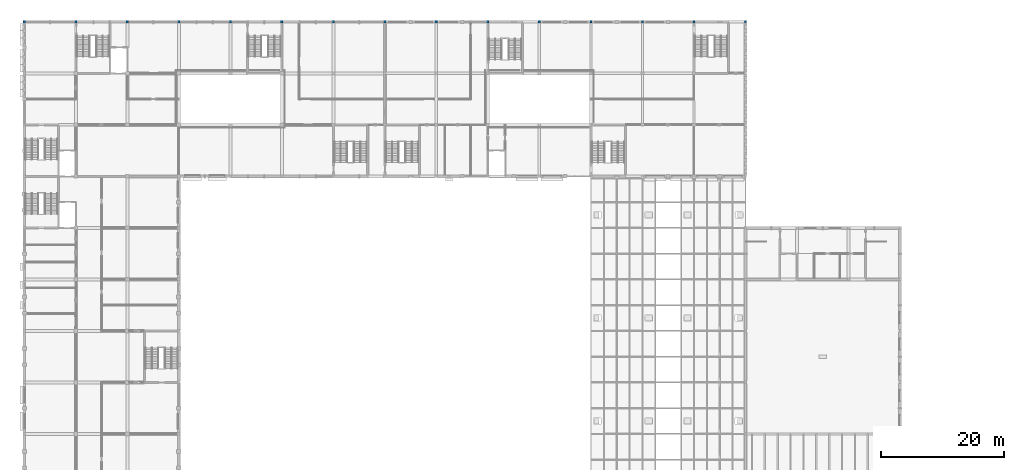
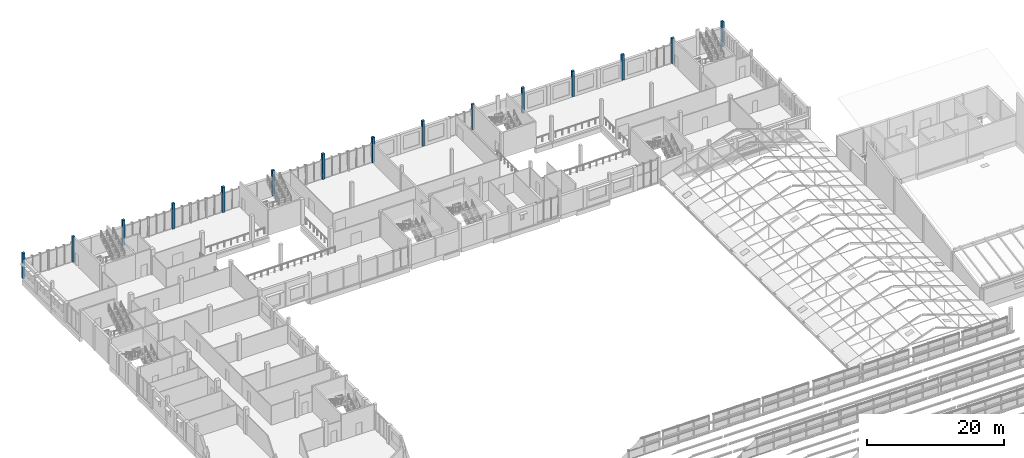
# One storey, part 5 of 116: 15 columns.
"""IFC4 building model written with IfcOpenShell, lengths in metres."""

from ifc_helpers import new_model, si_unit, direction, frame, origin, origin_2d, place, context, subcontext, project, spatial, rectangle, extrude, material, material_profile, profile_set, type_object, element, save


model = new_model("IFC4")

# Units and contexts
model_context = context("Model", 3, precision=1e-05, world=origin(), true_north=direction((0.0, 1.0)))
body_context = subcontext(model_context, "Body", "Model", "MODEL_VIEW")
ifc_project = project(units=[si_unit("LENGTHUNIT", "METRE"), si_unit("AREAUNIT", "SQUARE_METRE"), si_unit("VOLUMEUNIT", "CUBIC_METRE"), si_unit("PLANEANGLEUNIT", "RADIAN"), si_unit("MASSUNIT", "GRAM", prefix="KILO")], contexts=[model_context])

# Site, building, storey
site_placement = place(None, origin())
site = spatial("IfcSite", under=ifc_project, at=site_placement, CompositionType="ELEMENT")
building_placement = place(site_placement, origin())
building = spatial("IfcBuilding", under=site, at=building_placement, Name="Fescue Hill Polytechnic", CompositionType="ELEMENT")
storey_placement = place(building_placement, frame((0.0, 0.0, 13.5)))
storey = spatial("IfcBuildingStorey", under=building, at=storey_placement, Name="L03", CompositionType="ELEMENT", Elevation=13.5)

# Columns
ifc_material = material(Name="Concrete 40 MPa", Category="concrete")
ifc_material_profile = material_profile(ifc_material, rectangle(XDim=0.39990234375, YDim=0.39990234375, at=origin_2d()), Name="RC 400x400")
ifc_profile_set = profile_set([ifc_material_profile], Name="Concrete 40 MPa")
column_type = type_object("IfcColumnType", Name="Column RC 400x400", PredefinedType="COLUMN", material=ifc_profile_set)
for number, where, z_axis, x_axis, name in (
    (1, (0.0, 134.39990234375, 0.0), (0.0, 0.0, 1.0), (1.0, 0.0, 0.0), "COL-L03-V5-003"),
    (2, (8.39990234375, 134.39990234375, 0.0), (0.0, 0.0, 1.0), (1.0, 0.0, 0.0), "COL-L03-V5-006"),
    (3, (16.800048828125, 134.39990234375, 0.0), (0.0, 0.0, 1.0), (1.0, 0.0, 0.0), "COL-L03-V5-009"),
    (4, (25.199951171875, 134.39990234375, 0.0), (0.0, 0.0, 1.0), (1.0, 0.0, 0.0), "COL-L03-V5-012"),
    (5, (33.60009765625, 134.39990234375, 0.0), (0.0, 0.0, 1.0), (1.0, 0.0, 0.0), "COL-L03-V5-016"),
    (6, (42.0, 134.39990234375, 0.0), (0.0, 0.0, 1.0), (1.0, 0.0, 0.0), "COL-L03-V5-020"),
    (7, (50.39990234375, 134.39990234375, 0.0), (0.0, 0.0, 1.0), (1.0, 0.0, 0.0), "COL-L03-V5-024"),
    (8, (58.800048828125, 134.39990234375, 0.0), (0.0, 0.0, 1.0), (1.0, 0.0, 0.0), "COL-L03-V5-028"),
    (9, (67.199951171875, 134.39990234375, 0.0), (0.0, 0.0, 1.0), (1.0, 0.0, 0.0), "COL-L03-V4b-004"),
    (10, (75.60009765625, 134.39990234375, 0.0), (0.0, 0.0, 1.0), (1.0, 0.0, 0.0), "COL-L03-V4b-008"),
    (11, (84.0, 134.39990234375, 0.0), (0.0, 0.0, 1.0), (1.0, 0.0, 0.0), "COL-L03-V4b-012"),
    (12, (92.39990234375, 134.39990234375, 0.0), (0.0, 0.0, 1.0), (1.0, 0.0, 0.0), "COL-L03-V4b-016"),
    (13, (100.800048828125, 134.39990234375, 0.0), (0.0, 0.0, 1.0), (1.0, 0.0, 0.0), "COL-L03-V4b-020"),
    (14, (109.199951171875, 134.39990234375, 0.0), (0.0, 0.0, 1.0), (1.0, 0.0, 0.0), "COL-L03-V4b-024"),
    (15, (117.60009765625, 134.39990234375, 0.0), (0.0, 0.0, 1.0), (1.0, 0.0, 0.0), "COL-L03-V4b-028"),
):
    element("IfcColumn", number, at=place(storey_placement, frame(where, z_axis=z_axis, x_axis=x_axis)), inside=storey, type_object=column_type, Name=name, PredefinedType="COLUMN", context=body_context, shape_type="SweptSolid", body=[
        extrude(rectangle(XDim=0.39990234375, YDim=0.39990234375, at=origin_2d()), origin(), (0.0, 0.0, 1.0), 4.5),
    ])

save(model, "model.ifc")
